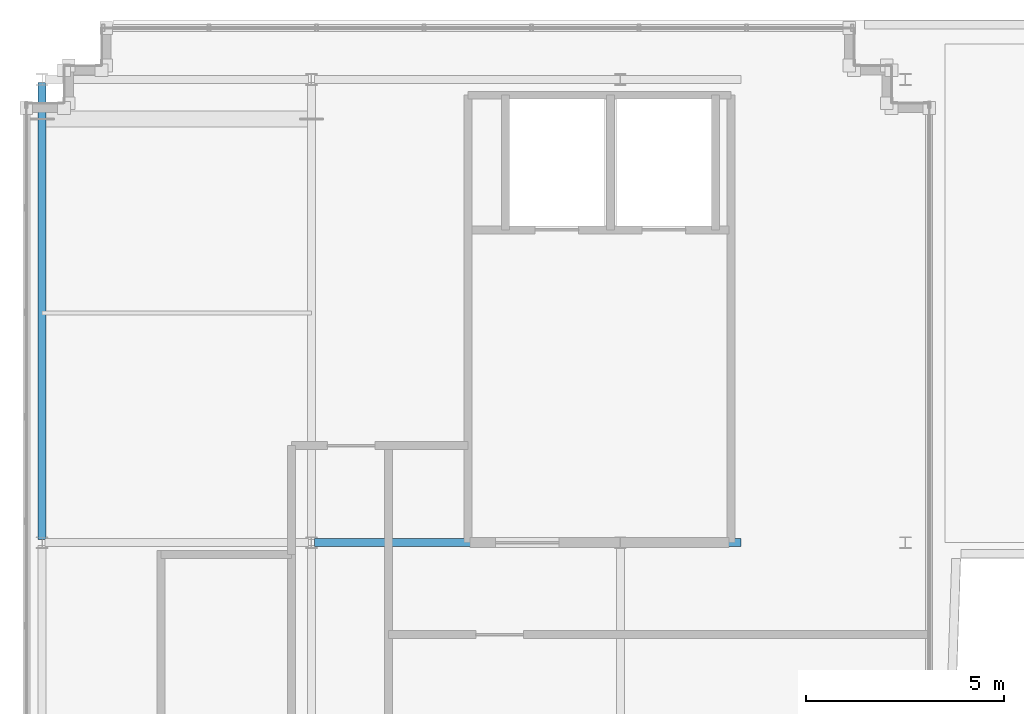
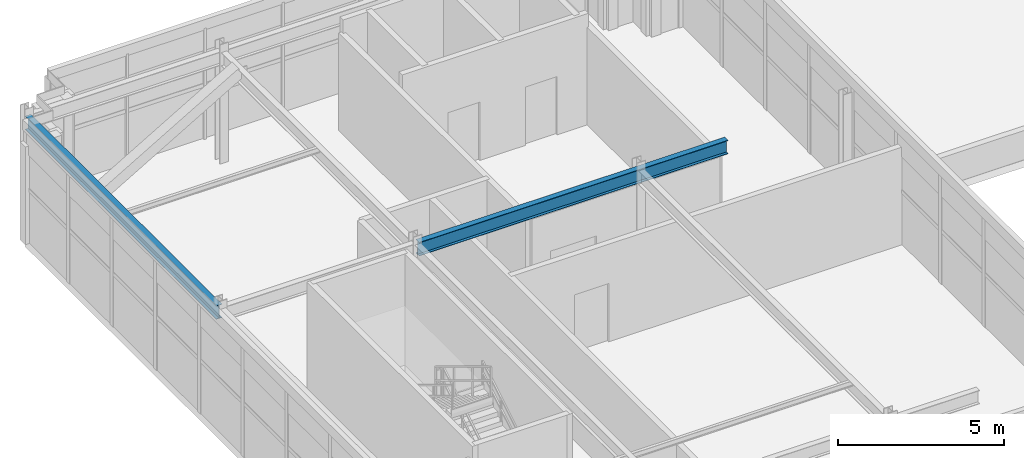
# One storey, part 9 of 31: 2 beams.
"""IFC4 building model written with IfcOpenShell, lengths in metres."""

from ifc_helpers import new_model, si_unit, direction, frame, origin, origin_2d, place, context, subcontext, project, spatial, i_section, extrude, source, transform, mapped, material, material_profile, profile_set, type_object, element, save


model = new_model("IFC4")

# Units and contexts
model_context = context("Model", 3, precision=1e-05, world=origin(), true_north=direction((0.0, 1.0)))
body_context = subcontext(model_context, "Body", "Model", "MODEL_VIEW")
ifc_project = project(units=[si_unit("LENGTHUNIT", "METRE"), si_unit("AREAUNIT", "SQUARE_METRE"), si_unit("VOLUMEUNIT", "CUBIC_METRE"), si_unit("PLANEANGLEUNIT", "RADIAN"), si_unit("MASSUNIT", "GRAM", prefix="KILO")], contexts=[model_context])

# Site, building, storey
site_placement = place(None, origin())
site = spatial("IfcSite", under=ifc_project, at=site_placement, CompositionType="ELEMENT")
building_placement = place(site_placement, origin())
building = spatial("IfcBuilding", under=site, at=building_placement, Name="Trelvane Seafront Commons", CompositionType="ELEMENT")
storey_placement = place(building_placement, frame((0.0, 0.0, 307.89990234375)))
storey = spatial("IfcBuildingStorey", under=building, at=storey_placement, Name="L80", CompositionType="ELEMENT", Elevation=307.89990234375)

# Beams
ifc_material = material(Name="Steel SM355 (S355)", Category="steel")
ifc_material_profile_1 = material_profile(ifc_material, i_section(OverallWidth=0.199951171875, OverallDepth=0.5, WebThickness=0.010009765625, FlangeThickness=0.01611328125, at=origin_2d()), Name="H-500x200x10x16")
ifc_profile_set_1 = profile_set([ifc_material_profile_1], Name="Steel SM355 (S355)")
beam_type_1 = type_object("IfcBeamType", Name="STR-BM-H500", PredefinedType="BEAM", material=ifc_profile_set_1)
shared_shape_1 = source(origin(), body_context, "Body", "SweptSolid", [
    extrude(i_section(OverallWidth=0.199951171875, OverallDepth=0.5, WebThickness=0.010009765625, FlangeThickness=0.01611328125, at=origin_2d()), origin(), (0.0, 0.0, 1.0), 11.5498046875),
])
beam_1_placement = place(storey_placement, frame((8.800048828125, 33.47509765625, 3.85009765625), z_axis=(0.0, 1.0, 0.0), x_axis=(-1.0, 0.0, 0.0)))
element("IfcBeam", 1, at=beam_1_placement, inside=storey, type_object=beam_type_1, Name="L80 Primary Girder G-23", PredefinedType="BEAM", context=body_context, shape_type="MappedRepresentation", body=[
    mapped(shared_shape_1, transform((0.0, 0.0, 0.0), x_axis=(1.0, 0.0, 0.0), y_axis=(0.0, 1.0, 0.0), z_axis=(0.0, 0.0, 1.0), scale=1.0)),
])
ifc_material_profile_2 = material_profile(ifc_material, i_section(OverallWidth=0.199951171875, OverallDepth=0.5, WebThickness=0.010009765625, FlangeThickness=0.01611328125, at=origin_2d()), Name="H-500x200x10x16")
ifc_profile_set_2 = profile_set([ifc_material_profile_2], Name="Steel SM355 (S355)")
beam_type_2 = type_object("IfcBeamType", Name="STR-CROWN-FRAME-RING", PredefinedType="SPANDREL", material=ifc_profile_set_2)
shared_shape_2 = source(origin(), body_context, "Body", "SweptSolid", [
    extrude(i_section(OverallWidth=0.199951171875, OverallDepth=0.5, WebThickness=0.010009765625, FlangeThickness=0.01611328125, at=origin_2d()), origin(), (0.0, 0.0, 1.0), 10.77490234375),
])
beam_2_placement = place(storey_placement, frame((15.675048828125, 33.39990234375, 3.85009765625), z_axis=(1.0, 0.0, 0.0), x_axis=(0.0, 1.0, 0.0)))
element("IfcBeam", 2, at=beam_2_placement, inside=storey, type_object=beam_type_2, Name="L80 CROWN FRAME Ring Beam G-09", PredefinedType="SPANDREL", context=body_context, shape_type="MappedRepresentation", body=[
    mapped(shared_shape_2, transform((0.0, 0.0, 0.0), x_axis=(1.0, 0.0, 0.0), y_axis=(0.0, 1.0, 0.0), z_axis=(0.0, 0.0, 1.0), scale=1.0)),
])

save(model, "model.ifc")
